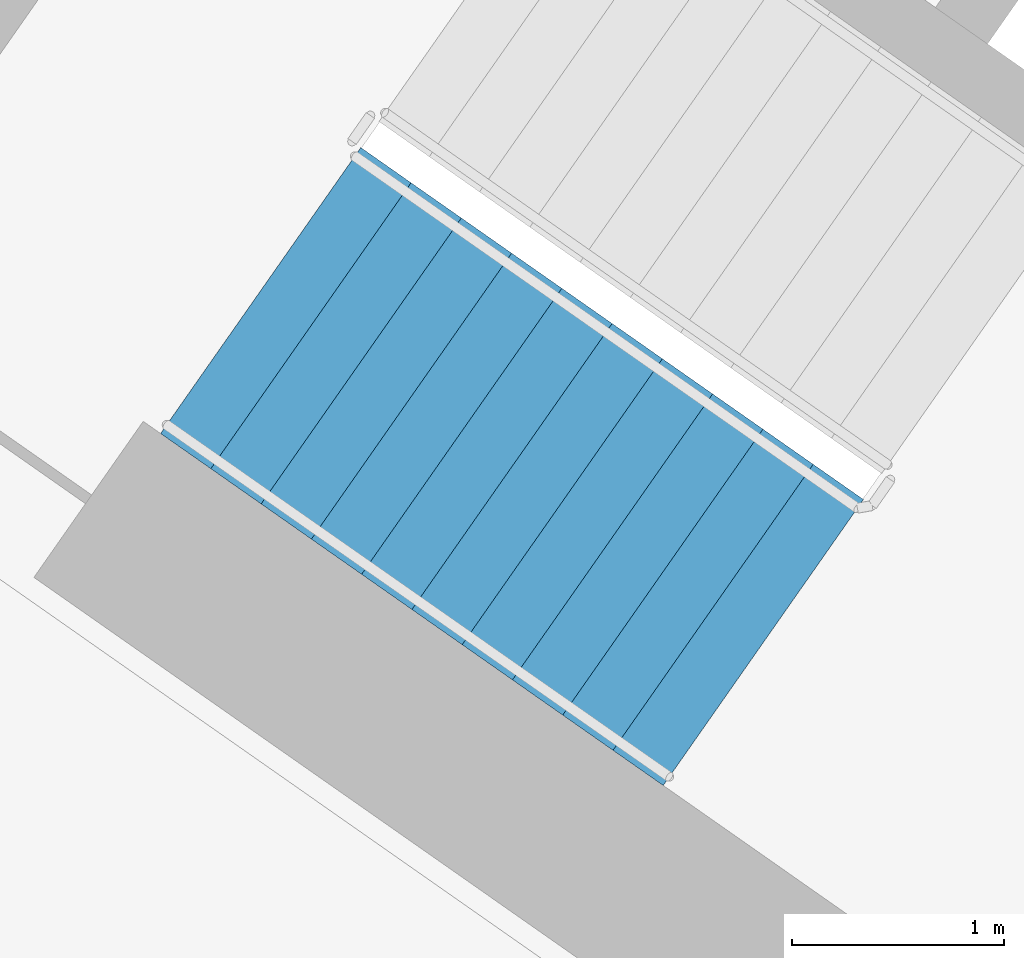
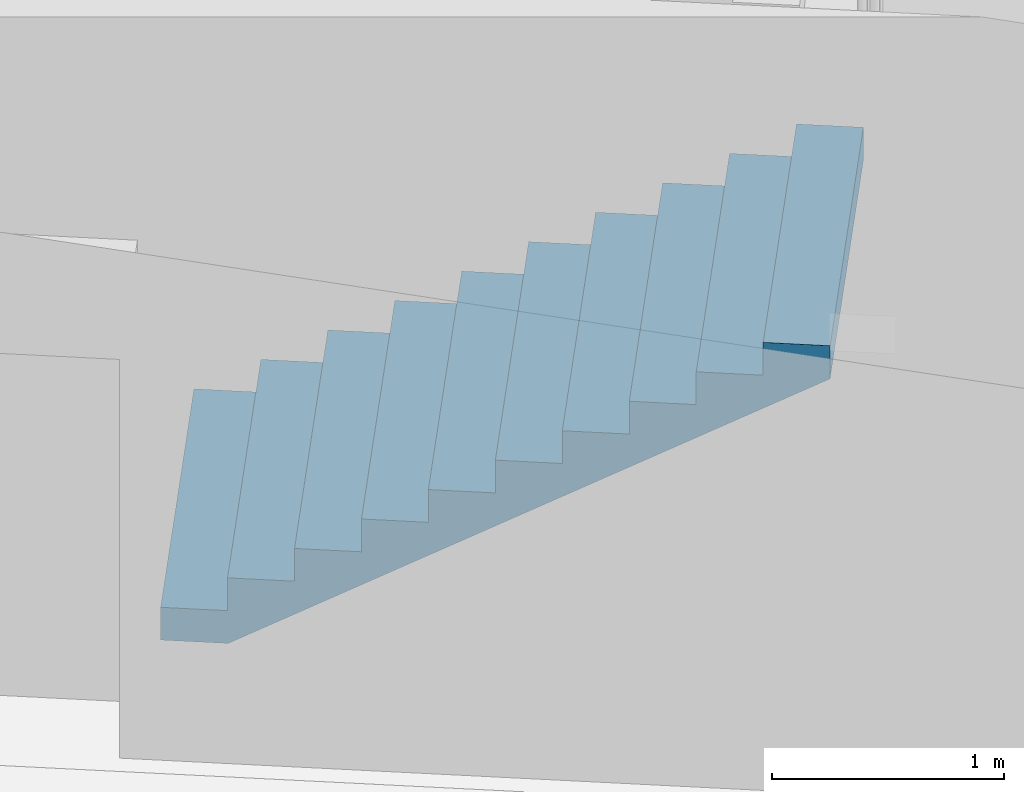
# One storey, part 10 of 30: 1 stair flight, 1 element without a shape of its own.
"""IFC4 building model written with IfcOpenShell, lengths in metres."""

import ifcopenshell
import ifcopenshell.guid

model = None  # the IFC model being written
_history = None  # IfcOwnerHistory: only IFC2X3 demands one
_inside = {}  # id of a spatial element -> (the spatial element, [elements in it])
_under = {}  # id of a project, library or spatial element -> (it, [spatial elements below it])
_declared = {}  # id of a project -> (the project, [libraries it declares])
_typed = {}  # id of a type object -> (the type object, [elements of that type])
_made_of = {}  # id of a material, layer set ... -> (it, [elements and type objects made of it])


def new_model(schema):
    """Start an empty IFC model of exactly this schema.

    Asked for "IFC4X3", IfcOpenShell would pick the latest addendum, in which some entities
    have other attributes; the version numbers below select the first issue.
    IFC2X3 requires an IfcOwnerHistory on every rooted entity: one is made here for all.
    """
    global model, _history
    if schema == "IFC4X3":
        model = ifcopenshell.file(schema_version=(4, 3, 0, 0))
    else:
        model = ifcopenshell.file(schema=schema)
    _inside.clear()
    _under.clear()
    _declared.clear()
    _typed.clear()
    _made_of.clear()
    _history = None
    if model.schema == "IFC2X3":
        org = make("IfcOrganization", Name="unknown")
        user = make(
            "IfcPersonAndOrganization",
            ThePerson=make("IfcPerson", FamilyName="unknown"),
            TheOrganization=org,
        )
        app = make(
            "IfcApplication",
            ApplicationDeveloper=org,
            Version="unknown",
            ApplicationFullName="unknown",
            ApplicationIdentifier="unknown",
        )
        _history = make(
            "IfcOwnerHistory",
            OwningUser=user,
            OwningApplication=app,
            ChangeAction="ADDED",
            CreationDate=0,
        )
    return model


def make(cls, **values):
    """One entity of the class cls with the attributes given. An attribute that is None is left unset."""
    return model.create_entity(
        cls, **{name: value for name, value in values.items() if value is not None}
    )


def rooted(cls, **values):
    """An entity with a GlobalId (a new one), such as an element, a storey or a relation."""
    return make(cls, GlobalId=ifcopenshell.guid.new(), OwnerHistory=_history, **values)


def si_unit(unit_type, name, prefix=None):
    """IfcSIUnit, for example si_unit("LENGTHUNIT", "METRE", prefix="MILLI")."""
    return make("IfcSIUnit", UnitType=unit_type, Prefix=prefix, Name=name)


def assignment(units):
    """IfcUnitAssignment: the units of a project."""
    return None if units is None else make("IfcUnitAssignment", Units=units)


def point(xyz):
    """IfcCartesianPoint."""
    return None if xyz is None else make("IfcCartesianPoint", Coordinates=xyz)


def direction(xyz):
    """IfcDirection."""
    return None if xyz is None else make("IfcDirection", DirectionRatios=xyz)


def frame(location, z_axis=None, x_axis=None):
    """IfcAxis2Placement3D, a coordinate frame: its origin and axes. An axis left out is left unset."""
    return make(
        "IfcAxis2Placement3D",
        Location=point(location),
        Axis=direction(z_axis),
        RefDirection=direction(x_axis),
    )


def origin():
    """The frame at (0, 0, 0) with its axes left unset."""
    return frame((0.0, 0.0, 0.0))


def place(relative_to, where):
    """IfcLocalPlacement: puts the frame where relative to a parent placement (None: the world)."""
    return make(
        "IfcLocalPlacement", PlacementRelTo=relative_to, RelativePlacement=where
    )


def context(
    kind, dimensions, precision=None, world=None, true_north=None, identifier=None
):
    """IfcGeometricRepresentationContext, for example the 3D "Model" context."""
    return make(
        "IfcGeometricRepresentationContext",
        ContextIdentifier=identifier,
        ContextType=kind,
        CoordinateSpaceDimension=dimensions,
        Precision=precision,
        WorldCoordinateSystem=world,
        TrueNorth=true_north,
    )


def subcontext(parent, identifier, kind, view, scale=None):
    """IfcGeometricRepresentationSubContext, for example "Body" below "Model"."""
    return make(
        "IfcGeometricRepresentationSubContext",
        ContextIdentifier=identifier,
        ContextType=kind,
        ParentContext=parent,
        TargetScale=scale,
        TargetView=view,
    )


def project(units=None, contexts=None):
    """IfcProject with its units and contexts."""
    return rooted(
        "IfcProject",
        Name="project",
        RepresentationContexts=contexts,
        UnitsInContext=assignment(units),
    )


def spatial(cls, under=None, at=None, **own):
    """A site, building, storey or space (cls), placed at a placement, below another one or the project."""
    s = rooted(cls, ObjectPlacement=at, **own)
    if under is not None:
        _under.setdefault(under.id(), (under, []))[1].append(s)
    return s


def faces_of(points, faces, orient=None, outer=None):
    """IfcFace entities. A face is a list of loops; a loop is a list of indices into points, from 0.

    orient and outer hold one flag for each loop. By default every Orientation is true, the
    first loop of a face is its IfcFaceOuterBound and the others are IfcFaceBound.
    """
    made = []
    for i, loops in enumerate(faces):
        bounds = []
        for j, loop in enumerate(loops):
            is_outer = j == 0 if outer is None else outer[i][j]
            bounds.append(
                make(
                    "IfcFaceOuterBound" if is_outer else "IfcFaceBound",
                    Bound=make("IfcPolyLoop", Polygon=[points[k] for k in loop]),
                    Orientation=True if orient is None else orient[i][j],
                )
            )
        made.append(make("IfcFace", Bounds=bounds))
    return made


def faceted_brep(points, faces, orient=None, outer=None, voids=None):
    """IfcFacetedBrep: a solid bounded by flat faces; with voids (closed shells), ...WithVoids."""
    shared = [point(p) for p in points]
    hull = make("IfcClosedShell", CfsFaces=faces_of(shared, faces, orient, outer))
    if voids is None:
        return make("IfcFacetedBrep", Outer=hull)
    return make(
        "IfcFacetedBrepWithVoids",
        Outer=hull,
        Voids=[
            make(cls, CfsFaces=faces_of(shared, fs, o, b)) for cls, fs, o, b in voids
        ],
    )


def shape(context_of_items, identifier, shape_type, items):
    """IfcShapeRepresentation: the items that make up one representation, for example the "Body"."""
    return make(
        "IfcShapeRepresentation",
        ContextOfItems=context_of_items,
        RepresentationIdentifier=identifier,
        RepresentationType=shape_type,
        Items=items,
    )


def material(Name=None, Category=None):
    """IfcMaterial."""
    return make("IfcMaterial", Name=Name, Category=Category)


def made_of(thing, what):
    """Note that an element or type object is made of a material, layer set ...; save() writes the relation."""
    if what is not None:
        _made_of.setdefault(what.id(), (what, []))[1].append(thing)
    return thing


def type_object(cls, material=None, **own):
    """A type object (cls), such as IfcWallType, which elements share."""
    return made_of(rooted(cls, **own), material)


def element(
    cls,
    number,
    at=None,
    inside=None,
    cuts=None,
    type_object=None,
    material=None,
    context=None,
    identifier="Body",
    shape_type=None,
    held_by="IfcProductDefinitionShape",
    body=None,
    shapes=None,
    **own,
):
    """One element of the class cls, such as IfcWall. Its Tag is "e" and its number.

    at: its placement. inside: the storey or other place that contains it. cuts: it is an
    opening in that element (IfcRelVoidsElement). A single representation is given by context,
    identifier, shape_type and body (its items); several are given by shapes. held_by: the class
    of the entity that holds the representations. save() writes the other relations.
    """
    e = rooted(cls, Tag="e%d" % number, ObjectPlacement=at, **own)
    if body is not None:
        shapes = [shape(context, identifier, shape_type, body)]
    if shapes is not None:
        e.Representation = make(held_by, Representations=shapes)
    if inside is not None:
        _inside.setdefault(inside.id(), (inside, []))[1].append(e)
    if cuts is not None:
        rooted(
            "IfcRelVoidsElement", RelatingBuildingElement=cuts, RelatedOpeningElement=e
        )
    if type_object is not None:
        _typed.setdefault(type_object.id(), (type_object, []))[1].append(e)
    return made_of(e, material)


def aggregate(whole, parts):
    """IfcRelAggregates: a whole, such as a stair, and the parts it consists of."""
    return rooted("IfcRelAggregates", RelatingObject=whole, RelatedObjects=parts)


def save(model, path):
    """Write the relations noted so far, then the file.

    IfcRelAggregates (storeys below a building ...), IfcRelContainedInSpatialStructure (elements
    in a storey), IfcRelDefinesByType, IfcRelAssociatesMaterial and IfcRelDeclares: one each for
    every whole, place, type object, material and project.
    """
    for whole, parts in _under.values():
        aggregate(whole, parts)
    for where, things in _inside.values():
        rooted(
            "IfcRelContainedInSpatialStructure",
            RelatedElements=things,
            RelatingStructure=where,
        )
    for kind, things in _typed.values():
        rooted("IfcRelDefinesByType", RelatedObjects=things, RelatingType=kind)
    for what, things in _made_of.values():
        rooted("IfcRelAssociatesMaterial", RelatedObjects=things, RelatingMaterial=what)
    for by, libraries in _declared.values():
        rooted("IfcRelDeclares", RelatingContext=by, RelatedDefinitions=libraries)
    model.write(path)


model = new_model("IFC4")

# Units and contexts
model_context = context("Model", 3, precision=1e-05, world=origin(), true_north=direction((0.0, 1.0)))
body_context = subcontext(model_context, "Body", "Model", "MODEL_VIEW")
ifc_project = project(units=[si_unit("LENGTHUNIT", "METRE"), si_unit("AREAUNIT", "SQUARE_METRE"), si_unit("VOLUMEUNIT", "CUBIC_METRE"), si_unit("PLANEANGLEUNIT", "RADIAN"), si_unit("MASSUNIT", "GRAM", prefix="KILO")], contexts=[model_context])

# Site, building, storey
site_placement = place(None, origin())
site = spatial("IfcSite", under=ifc_project, at=site_placement, CompositionType="ELEMENT")
building_placement = place(site_placement, origin())
building = spatial("IfcBuilding", under=site, at=building_placement, Name="Qamariyya Broadcast Tower", CompositionType="ELEMENT")
storey_placement = place(building_placement, frame((0.0, 0.0, 98.699951171875)))
storey = spatial("IfcBuildingStorey", under=building, at=storey_placement, Name="L21", CompositionType="ELEMENT", Elevation=98.699951171875)

# Stair, stair flight
ifc_material = material(Name="Concrete C50/60", Category="concrete")
stair_type = type_object("IfcStairType", Name="Exit stair 22 risers of 173 mm", PredefinedType="HALF_TURN_STAIR", material=ifc_material)
stair_placement = place(storey_placement, origin())
stair = element("IfcStair", 1, at=stair_placement, inside=storey, type_object=stair_type, Name="L21 Stair W1", PredefinedType="HALF_TURN_STAIR")
stair_flight_type = type_object("IfcStairFlightType", Name="Exit stair flight 11 risers of 173 mm", PredefinedType="STRAIGHT", material=ifc_material)
stair_flight_placement = place(storey_placement, frame((-47.06884765625, -56.982666015625, 0.0), z_axis=(0.0, 0.0, 1.0), x_axis=(0.819152044289, -0.573576436351, 0.0)))
stair_flight = element("IfcStairFlight", 2, at=stair_flight_placement, type_object=stair_flight_type, Name="ST-W1 flight 1", NumberOfRisers=11, NumberOfTreads=10, PredefinedType="STRAIGHT", RiserHeight=0.172727273, TreadLength=0.29, context=body_context, shape_type="Brep", body=[
    faceted_brep([(0.0, 0.824951171875, 0.0), (0.0, 0.824951171875, 0.172607421875), (0.2900390625, 0.824951171875, 0.172607421875), (0.2900390625, 0.824951171875, 0.345458984375), (0.580078125, 0.824951171875, 0.345458984375), (0.580078125, 0.824951171875, 0.51806640625), (0.8701171875, 0.824951171875, 0.51806640625), (0.8701171875, 0.824951171875, 0.69091796875), (1.159912109375, 0.824951171875, 0.69091796875), (1.159912109375, 0.824951171875, 0.863525390625), (1.449951171875, 0.824951171875, 0.863525390625), (1.449951171875, 0.824951171875, 1.036376953125), (1.739990234375, 0.824951171875, 1.036376953125), (1.739990234375, 0.824951171875, 1.208984375), (2.030029296875, 0.824951171875, 1.208984375), (2.030029296875, 0.824951171875, 1.3818359375), (2.320068359375, 0.824951171875, 1.3818359375), (2.320068359375, 0.824951171875, 1.554443359375), (2.610107421875, 0.824951171875, 1.554443359375), (2.610107421875, 0.824951171875, 1.727294921875), (2.89990234375, 0.824951171875, 1.727294921875), (2.89990234375, 0.824951171875, 1.552734375), (0.29296875, 0.824951171875, 0.0), (0.29296875, -0.824951171875, 0.0), (2.89990234375, -0.824951171875, 1.552734375), (2.89990234375, -0.824951171875, 1.727294921875), (2.610107421875, -0.824951171875, 1.727294921875), (2.610107421875, -0.824951171875, 1.554443359375), (2.320068359375, -0.824951171875, 1.554443359375), (2.320068359375, -0.824951171875, 1.3818359375), (2.030029296875, -0.824951171875, 1.3818359375), (2.030029296875, -0.824951171875, 1.208984375), (1.739990234375, -0.824951171875, 1.208984375), (1.739990234375, -0.824951171875, 1.036376953125), (1.449951171875, -0.824951171875, 1.036376953125), (1.449951171875, -0.824951171875, 0.863525390625), (1.159912109375, -0.824951171875, 0.863525390625), (1.159912109375, -0.824951171875, 0.69091796875), (0.8701171875, -0.824951171875, 0.69091796875), (0.8701171875, -0.824951171875, 0.51806640625), (0.580078125, -0.824951171875, 0.51806640625), (0.580078125, -0.824951171875, 0.345458984375), (0.2900390625, -0.824951171875, 0.345458984375), (0.2900390625, -0.824951171875, 0.172607421875), (0.0, -0.824951171875, 0.172607421875), (0.0, -0.824951171875, 0.0), (0.0, 0.10009765625, 0.0), (0.0, 0.086669921875, 0.0), (0.0, 0.0732421875, 0.0), (0.0, 0.06005859375, 0.0), (0.0, 0.046630859375, 0.0), (0.0, 0.033447265625, 0.0), (0.0, 0.02001953125, 0.0), (0.0, 0.006591796875, 0.0), (0.0, -0.006591796875, 0.0), (0.0, -0.02001953125, 0.0), (0.0, -0.033447265625, 0.0), (0.0, -0.046630859375, 0.0), (0.0, -0.06005859375, 0.0), (0.0, -0.0732421875, 0.0), (0.0, -0.086669921875, 0.0), (0.0, -0.10009765625, 0.0), (0.0, -0.10009765625, 0.172607421875), (0.0, -0.086669921875, 0.172607421875), (0.0, -0.0732421875, 0.172607421875), (0.0, -0.06005859375, 0.172607421875), (0.0, -0.046630859375, 0.172607421875), (0.0, -0.033447265625, 0.172607421875), (0.0, -0.02001953125, 0.172607421875), (0.0, -0.006591796875, 0.172607421875), (0.0, 0.006591796875, 0.172607421875), (0.0, 0.02001953125, 0.172607421875), (0.0, 0.033447265625, 0.172607421875), (0.0, 0.046630859375, 0.172607421875), (0.0, 0.06005859375, 0.172607421875), (0.0, 0.0732421875, 0.172607421875), (0.0, 0.086669921875, 0.172607421875), (0.0, 0.10009765625, 0.172607421875), (0.2900390625, -0.10009765625, 0.172607421875), (0.2900390625, -0.086669921875, 0.172607421875), (0.2900390625, -0.0732421875, 0.172607421875), (0.2900390625, -0.06005859375, 0.172607421875), (0.2900390625, -0.046630859375, 0.172607421875), (0.2900390625, -0.033447265625, 0.172607421875), (0.2900390625, -0.02001953125, 0.172607421875), (0.2900390625, -0.006591796875, 0.172607421875), (0.2900390625, 0.006591796875, 0.172607421875), (0.2900390625, 0.02001953125, 0.172607421875), (0.2900390625, 0.033447265625, 0.172607421875), (0.2900390625, 0.046630859375, 0.172607421875), (0.2900390625, 0.06005859375, 0.172607421875), (0.2900390625, 0.0732421875, 0.172607421875), (0.2900390625, 0.086669921875, 0.172607421875), (0.2900390625, 0.10009765625, 0.172607421875), (0.2900390625, -0.10009765625, 0.345458984375), (0.2900390625, -0.086669921875, 0.345458984375), (0.2900390625, -0.0732421875, 0.345458984375), (0.2900390625, -0.06005859375, 0.345458984375), (0.2900390625, -0.046630859375, 0.345458984375), (0.2900390625, -0.033447265625, 0.345458984375), (0.2900390625, -0.02001953125, 0.345458984375), (0.2900390625, -0.006591796875, 0.345458984375), (0.2900390625, 0.006591796875, 0.345458984375), (0.2900390625, 0.02001953125, 0.345458984375), (0.2900390625, 0.033447265625, 0.345458984375), (0.2900390625, 0.046630859375, 0.345458984375), (0.2900390625, 0.06005859375, 0.345458984375), (0.2900390625, 0.0732421875, 0.345458984375), (0.2900390625, 0.086669921875, 0.345458984375), (0.2900390625, 0.10009765625, 0.345458984375), (0.580078125, -0.10009765625, 0.345458984375), (0.580078125, -0.086669921875, 0.345458984375), (0.580078125, -0.0732421875, 0.345458984375), (0.580078125, -0.06005859375, 0.345458984375), (0.580078125, -0.046630859375, 0.345458984375), (0.580078125, -0.033447265625, 0.345458984375), (0.580078125, -0.02001953125, 0.345458984375), (0.580078125, -0.006591796875, 0.345458984375), (0.580078125, 0.006591796875, 0.345458984375), (0.580078125, 0.02001953125, 0.345458984375), (0.580078125, 0.033447265625, 0.345458984375), (0.580078125, 0.046630859375, 0.345458984375), (0.580078125, 0.06005859375, 0.345458984375), (0.580078125, 0.0732421875, 0.345458984375), (0.580078125, 0.086669921875, 0.345458984375), (0.580078125, 0.10009765625, 0.345458984375), (0.580078125, -0.10009765625, 0.51806640625), (0.580078125, -0.086669921875, 0.51806640625), (0.580078125, -0.0732421875, 0.51806640625), (0.580078125, -0.06005859375, 0.51806640625), (0.580078125, -0.046630859375, 0.51806640625), (0.580078125, -0.033447265625, 0.51806640625), (0.580078125, -0.02001953125, 0.51806640625), (0.580078125, -0.006591796875, 0.51806640625), (0.580078125, 0.006591796875, 0.51806640625), (0.580078125, 0.02001953125, 0.51806640625), (0.580078125, 0.033447265625, 0.51806640625), (0.580078125, 0.046630859375, 0.51806640625), (0.580078125, 0.06005859375, 0.51806640625), (0.580078125, 0.0732421875, 0.51806640625), (0.580078125, 0.086669921875, 0.51806640625), (0.580078125, 0.10009765625, 0.51806640625), (0.8701171875, -0.10009765625, 0.51806640625), (0.8701171875, -0.086669921875, 0.51806640625), (0.8701171875, -0.0732421875, 0.51806640625), (0.8701171875, -0.06005859375, 0.51806640625), (0.8701171875, -0.046630859375, 0.51806640625), (0.8701171875, -0.033447265625, 0.51806640625), (0.8701171875, -0.02001953125, 0.51806640625), (0.8701171875, -0.006591796875, 0.51806640625), (0.8701171875, 0.006591796875, 0.51806640625), (0.8701171875, 0.02001953125, 0.51806640625), (0.8701171875, 0.033447265625, 0.51806640625), (0.8701171875, 0.046630859375, 0.51806640625), (0.8701171875, 0.06005859375, 0.51806640625), (0.8701171875, 0.0732421875, 0.51806640625), (0.8701171875, 0.086669921875, 0.51806640625), (0.8701171875, 0.10009765625, 0.51806640625), (0.8701171875, -0.10009765625, 0.69091796875), (0.8701171875, -0.086669921875, 0.69091796875), (0.8701171875, -0.0732421875, 0.69091796875), (0.8701171875, -0.06005859375, 0.69091796875), (0.8701171875, -0.046630859375, 0.69091796875), (0.8701171875, -0.033447265625, 0.69091796875), (0.8701171875, -0.02001953125, 0.69091796875), (0.8701171875, -0.006591796875, 0.69091796875), (0.8701171875, 0.006591796875, 0.69091796875), (0.8701171875, 0.02001953125, 0.69091796875), (0.8701171875, 0.033447265625, 0.69091796875), (0.8701171875, 0.046630859375, 0.69091796875), (0.8701171875, 0.06005859375, 0.69091796875), (0.8701171875, 0.0732421875, 0.69091796875), (0.8701171875, 0.086669921875, 0.69091796875), (0.8701171875, 0.10009765625, 0.69091796875), (1.159912109375, -0.10009765625, 0.69091796875), (1.159912109375, -0.086669921875, 0.69091796875), (1.159912109375, -0.0732421875, 0.69091796875), (1.159912109375, -0.06005859375, 0.69091796875), (1.159912109375, -0.046630859375, 0.69091796875), (1.159912109375, -0.033447265625, 0.69091796875), (1.159912109375, -0.02001953125, 0.69091796875), (1.159912109375, -0.006591796875, 0.69091796875), (1.159912109375, 0.006591796875, 0.69091796875), (1.159912109375, 0.02001953125, 0.69091796875), (1.159912109375, 0.033447265625, 0.69091796875), (1.159912109375, 0.046630859375, 0.69091796875), (1.159912109375, 0.06005859375, 0.69091796875), (1.159912109375, 0.0732421875, 0.69091796875), (1.159912109375, 0.086669921875, 0.69091796875), (1.159912109375, 0.10009765625, 0.69091796875), (1.159912109375, -0.10009765625, 0.863525390625), (1.159912109375, -0.086669921875, 0.863525390625), (1.159912109375, -0.0732421875, 0.863525390625), (1.159912109375, -0.06005859375, 0.863525390625), (1.159912109375, -0.046630859375, 0.863525390625), (1.159912109375, -0.033447265625, 0.863525390625), (1.159912109375, -0.02001953125, 0.863525390625), (1.159912109375, -0.006591796875, 0.863525390625), (1.159912109375, 0.006591796875, 0.863525390625), (1.159912109375, 0.02001953125, 0.863525390625), (1.159912109375, 0.033447265625, 0.863525390625), (1.159912109375, 0.046630859375, 0.863525390625), (1.159912109375, 0.06005859375, 0.863525390625), (1.159912109375, 0.0732421875, 0.863525390625), (1.159912109375, 0.086669921875, 0.863525390625), (1.159912109375, 0.10009765625, 0.863525390625), (1.449951171875, -0.10009765625, 0.863525390625), (1.449951171875, -0.086669921875, 0.863525390625), (1.449951171875, -0.0732421875, 0.863525390625), (1.449951171875, -0.06005859375, 0.863525390625), (1.449951171875, -0.046630859375, 0.863525390625), (1.449951171875, -0.033447265625, 0.863525390625), (1.449951171875, -0.02001953125, 0.863525390625), (1.449951171875, -0.006591796875, 0.863525390625), (1.449951171875, 0.006591796875, 0.863525390625), (1.449951171875, 0.02001953125, 0.863525390625), (1.449951171875, 0.033447265625, 0.863525390625), (1.449951171875, 0.046630859375, 0.863525390625), (1.449951171875, 0.06005859375, 0.863525390625), (1.449951171875, 0.0732421875, 0.863525390625), (1.449951171875, 0.086669921875, 0.863525390625), (1.449951171875, 0.10009765625, 0.863525390625), (1.449951171875, -0.10009765625, 1.036376953125), (1.449951171875, -0.086669921875, 1.036376953125), (1.449951171875, -0.0732421875, 1.036376953125), (1.449951171875, -0.06005859375, 1.036376953125), (1.449951171875, -0.046630859375, 1.036376953125), (1.449951171875, -0.033447265625, 1.036376953125), (1.449951171875, -0.02001953125, 1.036376953125), (1.449951171875, -0.006591796875, 1.036376953125), (1.449951171875, 0.006591796875, 1.036376953125), (1.449951171875, 0.02001953125, 1.036376953125), (1.449951171875, 0.033447265625, 1.036376953125), (1.449951171875, 0.046630859375, 1.036376953125), (1.449951171875, 0.06005859375, 1.036376953125), (1.449951171875, 0.0732421875, 1.036376953125), (1.449951171875, 0.086669921875, 1.036376953125), (1.449951171875, 0.10009765625, 1.036376953125), (1.739990234375, -0.10009765625, 1.036376953125), (1.739990234375, -0.086669921875, 1.036376953125), (1.739990234375, -0.0732421875, 1.036376953125), (1.739990234375, -0.06005859375, 1.036376953125), (1.739990234375, -0.046630859375, 1.036376953125), (1.739990234375, -0.033447265625, 1.036376953125), (1.739990234375, -0.02001953125, 1.036376953125), (1.739990234375, -0.006591796875, 1.036376953125), (1.739990234375, 0.006591796875, 1.036376953125), (1.739990234375, 0.02001953125, 1.036376953125), (1.739990234375, 0.033447265625, 1.036376953125), (1.739990234375, 0.046630859375, 1.036376953125), (1.739990234375, 0.06005859375, 1.036376953125), (1.739990234375, 0.0732421875, 1.036376953125), (1.739990234375, 0.086669921875, 1.036376953125), (1.739990234375, 0.10009765625, 1.036376953125), (1.739990234375, -0.10009765625, 1.208984375), (1.739990234375, -0.086669921875, 1.208984375), (1.739990234375, -0.0732421875, 1.208984375), (1.739990234375, -0.06005859375, 1.208984375), (1.739990234375, -0.046630859375, 1.208984375), (1.739990234375, -0.033447265625, 1.208984375), (1.739990234375, -0.02001953125, 1.208984375), (1.739990234375, -0.006591796875, 1.208984375), (1.739990234375, 0.006591796875, 1.208984375), (1.739990234375, 0.02001953125, 1.208984375), (1.739990234375, 0.033447265625, 1.208984375), (1.739990234375, 0.046630859375, 1.208984375), (1.739990234375, 0.06005859375, 1.208984375), (1.739990234375, 0.0732421875, 1.208984375), (1.739990234375, 0.086669921875, 1.208984375), (1.739990234375, 0.10009765625, 1.208984375), (2.030029296875, -0.10009765625, 1.208984375), (2.030029296875, -0.086669921875, 1.208984375), (2.030029296875, -0.0732421875, 1.208984375), (2.030029296875, -0.06005859375, 1.208984375), (2.030029296875, -0.046630859375, 1.208984375), (2.030029296875, -0.033447265625, 1.208984375), (2.030029296875, -0.02001953125, 1.208984375), (2.030029296875, -0.006591796875, 1.208984375), (2.030029296875, 0.006591796875, 1.208984375), (2.030029296875, 0.02001953125, 1.208984375), (2.030029296875, 0.033447265625, 1.208984375), (2.030029296875, 0.046630859375, 1.208984375), (2.030029296875, 0.06005859375, 1.208984375), (2.030029296875, 0.0732421875, 1.208984375), (2.030029296875, 0.086669921875, 1.208984375), (2.030029296875, 0.10009765625, 1.208984375), (2.030029296875, -0.10009765625, 1.3818359375), (2.030029296875, -0.086669921875, 1.3818359375), (2.030029296875, -0.0732421875, 1.3818359375), (2.030029296875, -0.06005859375, 1.3818359375), (2.030029296875, -0.046630859375, 1.3818359375), (2.030029296875, -0.033447265625, 1.3818359375), (2.030029296875, -0.02001953125, 1.3818359375), (2.030029296875, -0.006591796875, 1.3818359375), (2.030029296875, 0.006591796875, 1.3818359375), (2.030029296875, 0.02001953125, 1.3818359375), (2.030029296875, 0.033447265625, 1.3818359375), (2.030029296875, 0.046630859375, 1.3818359375), (2.030029296875, 0.06005859375, 1.3818359375), (2.030029296875, 0.0732421875, 1.3818359375), (2.030029296875, 0.086669921875, 1.3818359375), (2.030029296875, 0.10009765625, 1.3818359375), (2.320068359375, -0.10009765625, 1.3818359375), (2.320068359375, -0.086669921875, 1.3818359375), (2.320068359375, -0.0732421875, 1.3818359375), (2.320068359375, -0.06005859375, 1.3818359375), (2.320068359375, -0.046630859375, 1.3818359375), (2.320068359375, -0.033447265625, 1.3818359375), (2.320068359375, -0.02001953125, 1.3818359375), (2.320068359375, -0.006591796875, 1.3818359375), (2.320068359375, 0.006591796875, 1.3818359375), (2.320068359375, 0.02001953125, 1.3818359375), (2.320068359375, 0.033447265625, 1.3818359375), (2.320068359375, 0.046630859375, 1.3818359375), (2.320068359375, 0.06005859375, 1.3818359375), (2.320068359375, 0.0732421875, 1.3818359375), (2.320068359375, 0.086669921875, 1.3818359375), (2.320068359375, 0.10009765625, 1.3818359375), (2.320068359375, -0.10009765625, 1.554443359375), (2.320068359375, -0.086669921875, 1.554443359375), (2.320068359375, -0.0732421875, 1.554443359375), (2.320068359375, -0.06005859375, 1.554443359375), (2.320068359375, -0.046630859375, 1.554443359375), (2.320068359375, -0.033447265625, 1.554443359375), (2.320068359375, -0.02001953125, 1.554443359375), (2.320068359375, -0.006591796875, 1.554443359375), (2.320068359375, 0.006591796875, 1.554443359375), (2.320068359375, 0.02001953125, 1.554443359375), (2.320068359375, 0.033447265625, 1.554443359375), (2.320068359375, 0.046630859375, 1.554443359375), (2.320068359375, 0.06005859375, 1.554443359375), (2.320068359375, 0.0732421875, 1.554443359375), (2.320068359375, 0.086669921875, 1.554443359375), (2.320068359375, 0.10009765625, 1.554443359375), (2.610107421875, -0.10009765625, 1.554443359375), (2.610107421875, -0.086669921875, 1.554443359375), (2.610107421875, -0.0732421875, 1.554443359375), (2.610107421875, -0.06005859375, 1.554443359375), (2.610107421875, -0.046630859375, 1.554443359375), (2.610107421875, -0.033447265625, 1.554443359375), (2.610107421875, -0.02001953125, 1.554443359375), (2.610107421875, -0.006591796875, 1.554443359375), (2.610107421875, 0.006591796875, 1.554443359375), (2.610107421875, 0.02001953125, 1.554443359375), (2.610107421875, 0.033447265625, 1.554443359375), (2.610107421875, 0.046630859375, 1.554443359375), (2.610107421875, 0.06005859375, 1.554443359375), (2.610107421875, 0.0732421875, 1.554443359375), (2.610107421875, 0.086669921875, 1.554443359375), (2.610107421875, 0.10009765625, 1.554443359375), (2.610107421875, -0.10009765625, 1.727294921875), (2.610107421875, -0.086669921875, 1.727294921875), (2.610107421875, -0.0732421875, 1.727294921875), (2.610107421875, -0.06005859375, 1.727294921875), (2.610107421875, -0.046630859375, 1.727294921875), (2.610107421875, -0.033447265625, 1.727294921875), (2.610107421875, -0.02001953125, 1.727294921875), (2.610107421875, -0.006591796875, 1.727294921875), (2.610107421875, 0.006591796875, 1.727294921875), (2.610107421875, 0.02001953125, 1.727294921875), (2.610107421875, 0.033447265625, 1.727294921875), (2.610107421875, 0.046630859375, 1.727294921875), (2.610107421875, 0.06005859375, 1.727294921875), (2.610107421875, 0.0732421875, 1.727294921875), (2.610107421875, 0.086669921875, 1.727294921875), (2.610107421875, 0.10009765625, 1.727294921875), (2.89990234375, -0.10009765625, 1.727294921875), (2.89990234375, -0.086669921875, 1.727294921875), (2.89990234375, -0.0732421875, 1.727294921875), (2.89990234375, -0.06005859375, 1.727294921875), (2.89990234375, -0.046630859375, 1.727294921875), (2.89990234375, -0.033447265625, 1.727294921875), (2.89990234375, -0.02001953125, 1.727294921875), (2.89990234375, -0.006591796875, 1.727294921875), (2.89990234375, 0.006591796875, 1.727294921875), (2.89990234375, 0.02001953125, 1.727294921875), (2.89990234375, 0.033447265625, 1.727294921875), (2.89990234375, 0.046630859375, 1.727294921875), (2.89990234375, 0.06005859375, 1.727294921875), (2.89990234375, 0.0732421875, 1.727294921875), (2.89990234375, 0.086669921875, 1.727294921875), (2.89990234375, 0.10009765625, 1.727294921875), (2.89990234375, -0.10009765625, 1.552734375), (2.89990234375, -0.086669921875, 1.552734375), (2.89990234375, -0.0732421875, 1.552734375), (2.89990234375, -0.06005859375, 1.552734375), (2.89990234375, -0.046630859375, 1.552734375), (2.89990234375, -0.033447265625, 1.552734375), (2.89990234375, -0.02001953125, 1.552734375), (2.89990234375, -0.006591796875, 1.552734375), (2.89990234375, 0.006591796875, 1.552734375), (2.89990234375, 0.02001953125, 1.552734375), (2.89990234375, 0.033447265625, 1.552734375), (2.89990234375, 0.046630859375, 1.552734375), (2.89990234375, 0.06005859375, 1.552734375), (2.89990234375, 0.0732421875, 1.552734375), (2.89990234375, 0.086669921875, 1.552734375), (2.89990234375, 0.10009765625, 1.552734375), (0.29296875, -0.10009765625, 0.0), (0.29296875, -0.086669921875, 0.0), (0.29296875, -0.0732421875, 0.0), (0.29296875, -0.06005859375, 0.0), (0.29296875, -0.046630859375, 0.0), (0.29296875, -0.033447265625, 0.0), (0.29296875, -0.02001953125, 0.0), (0.29296875, -0.006591796875, 0.0), (0.29296875, 0.006591796875, 0.0), (0.29296875, 0.02001953125, 0.0), (0.29296875, 0.033447265625, 0.0), (0.29296875, 0.046630859375, 0.0), (0.29296875, 0.06005859375, 0.0), (0.29296875, 0.0732421875, 0.0), (0.29296875, 0.086669921875, 0.0), (0.29296875, 0.10009765625, 0.0)], [[[0, 1, 2, 3, 4, 5, 6, 7, 8, 9, 10, 11, 12, 13, 14, 15, 16, 17, 18, 19, 20, 21, 22]], [[23, 24, 25, 26, 27, 28, 29, 30, 31, 32, 33, 34, 35, 36, 37, 38, 39, 40, 41, 42, 43, 44, 45]], [[0, 46, 47, 48, 49, 50, 51, 52, 53, 54, 55, 56, 57, 58, 59, 60, 61, 45, 44, 62, 63, 64, 65, 66, 67, 68, 69, 70, 71, 72, 73, 74, 75, 76, 77, 1]], [[1, 77, 76, 75, 74, 73, 72, 71, 70, 69, 68, 67, 66, 65, 64, 63, 62, 44, 43, 78, 79, 80, 81, 82, 83, 84, 85, 86, 87, 88, 89, 90, 91, 92, 93, 2]], [[2, 93, 92, 91, 90, 89, 88, 87, 86, 85, 84, 83, 82, 81, 80, 79, 78, 43, 42, 94, 95, 96, 97, 98, 99, 100, 101, 102, 103, 104, 105, 106, 107, 108, 109, 3]], [[3, 109, 108, 107, 106, 105, 104, 103, 102, 101, 100, 99, 98, 97, 96, 95, 94, 42, 41, 110, 111, 112, 113, 114, 115, 116, 117, 118, 119, 120, 121, 122, 123, 124, 125, 4]], [[4, 125, 124, 123, 122, 121, 120, 119, 118, 117, 116, 115, 114, 113, 112, 111, 110, 41, 40, 126, 127, 128, 129, 130, 131, 132, 133, 134, 135, 136, 137, 138, 139, 140, 141, 5]], [[5, 141, 140, 139, 138, 137, 136, 135, 134, 133, 132, 131, 130, 129, 128, 127, 126, 40, 39, 142, 143, 144, 145, 146, 147, 148, 149, 150, 151, 152, 153, 154, 155, 156, 157, 6]], [[6, 157, 156, 155, 154, 153, 152, 151, 150, 149, 148, 147, 146, 145, 144, 143, 142, 39, 38, 158, 159, 160, 161, 162, 163, 164, 165, 166, 167, 168, 169, 170, 171, 172, 173, 7]], [[7, 173, 172, 171, 170, 169, 168, 167, 166, 165, 164, 163, 162, 161, 160, 159, 158, 38, 37, 174, 175, 176, 177, 178, 179, 180, 181, 182, 183, 184, 185, 186, 187, 188, 189, 8]], [[8, 189, 188, 187, 186, 185, 184, 183, 182, 181, 180, 179, 178, 177, 176, 175, 174, 37, 36, 190, 191, 192, 193, 194, 195, 196, 197, 198, 199, 200, 201, 202, 203, 204, 205, 9]], [[9, 205, 204, 203, 202, 201, 200, 199, 198, 197, 196, 195, 194, 193, 192, 191, 190, 36, 35, 206, 207, 208, 209, 210, 211, 212, 213, 214, 215, 216, 217, 218, 219, 220, 221, 10]], [[10, 221, 220, 219, 218, 217, 216, 215, 214, 213, 212, 211, 210, 209, 208, 207, 206, 35, 34, 222, 223, 224, 225, 226, 227, 228, 229, 230, 231, 232, 233, 234, 235, 236, 237, 11]], [[11, 237, 236, 235, 234, 233, 232, 231, 230, 229, 228, 227, 226, 225, 224, 223, 222, 34, 33, 238, 239, 240, 241, 242, 243, 244, 245, 246, 247, 248, 249, 250, 251, 252, 253, 12]], [[12, 253, 252, 251, 250, 249, 248, 247, 246, 245, 244, 243, 242, 241, 240, 239, 238, 33, 32, 254, 255, 256, 257, 258, 259, 260, 261, 262, 263, 264, 265, 266, 267, 268, 269, 13]], [[13, 269, 268, 267, 266, 265, 264, 263, 262, 261, 260, 259, 258, 257, 256, 255, 254, 32, 31, 270, 271, 272, 273, 274, 275, 276, 277, 278, 279, 280, 281, 282, 283, 284, 285, 14]], [[14, 285, 284, 283, 282, 281, 280, 279, 278, 277, 276, 275, 274, 273, 272, 271, 270, 31, 30, 286, 287, 288, 289, 290, 291, 292, 293, 294, 295, 296, 297, 298, 299, 300, 301, 15]], [[15, 301, 300, 299, 298, 297, 296, 295, 294, 293, 292, 291, 290, 289, 288, 287, 286, 30, 29, 302, 303, 304, 305, 306, 307, 308, 309, 310, 311, 312, 313, 314, 315, 316, 317, 16]], [[16, 317, 316, 315, 314, 313, 312, 311, 310, 309, 308, 307, 306, 305, 304, 303, 302, 29, 28, 318, 319, 320, 321, 322, 323, 324, 325, 326, 327, 328, 329, 330, 331, 332, 333, 17]], [[17, 333, 332, 331, 330, 329, 328, 327, 326, 325, 324, 323, 322, 321, 320, 319, 318, 28, 27, 334, 335, 336, 337, 338, 339, 340, 341, 342, 343, 344, 345, 346, 347, 348, 349, 18]], [[18, 349, 348, 347, 346, 345, 344, 343, 342, 341, 340, 339, 338, 337, 336, 335, 334, 27, 26, 350, 351, 352, 353, 354, 355, 356, 357, 358, 359, 360, 361, 362, 363, 364, 365, 19]], [[19, 365, 364, 363, 362, 361, 360, 359, 358, 357, 356, 355, 354, 353, 352, 351, 350, 26, 25, 366, 367, 368, 369, 370, 371, 372, 373, 374, 375, 376, 377, 378, 379, 380, 381, 20]], [[20, 381, 380, 379, 378, 377, 376, 375, 374, 373, 372, 371, 370, 369, 368, 367, 366, 25, 24, 382, 383, 384, 385, 386, 387, 388, 389, 390, 391, 392, 393, 394, 395, 396, 397, 21]], [[21, 397, 396, 395, 394, 393, 392, 391, 390, 389, 388, 387, 386, 385, 384, 383, 382, 24, 23, 398, 399, 400, 401, 402, 403, 404, 405, 406, 407, 408, 409, 410, 411, 412, 413, 22]], [[22, 413, 412, 411, 410, 409, 408, 407, 406, 405, 404, 403, 402, 401, 400, 399, 398, 23, 45, 61, 60, 59, 58, 57, 56, 55, 54, 53, 52, 51, 50, 49, 48, 47, 46, 0]]]),
])
aggregate(stair, [stair_flight])

save(model, "model.ifc")
